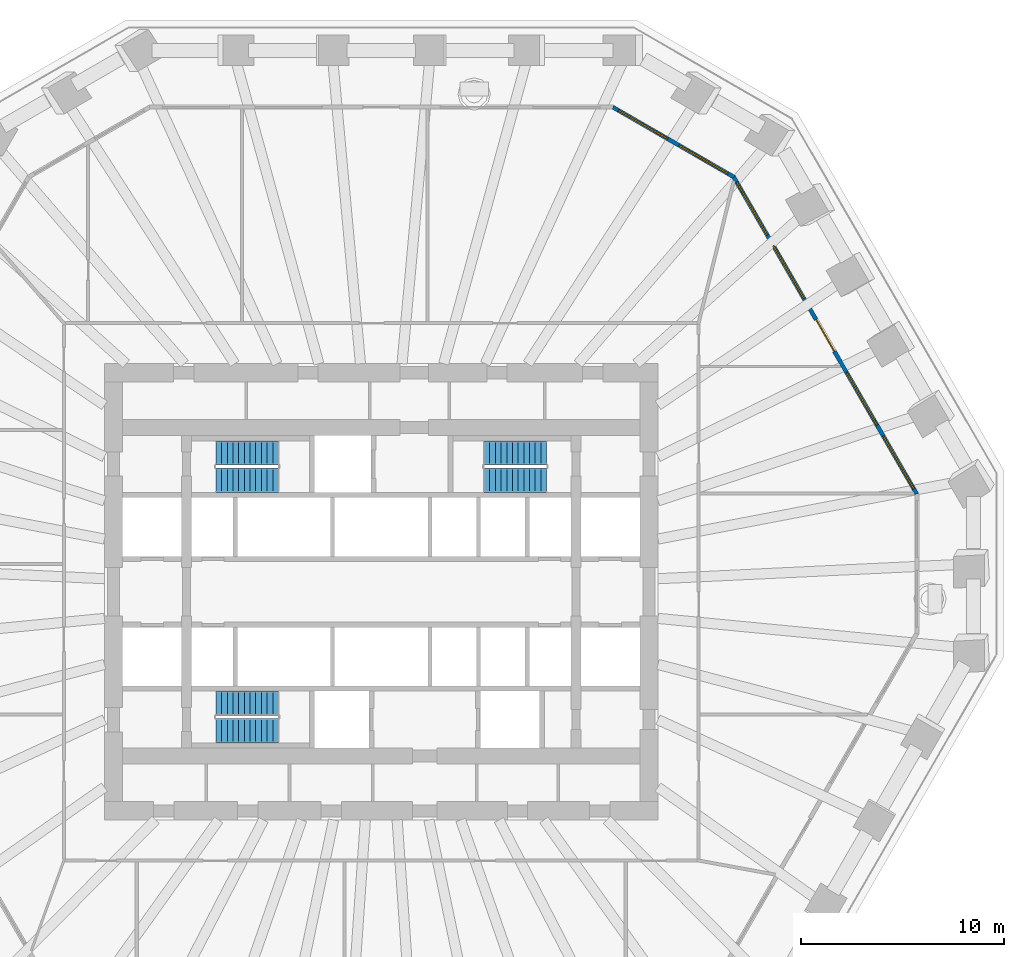
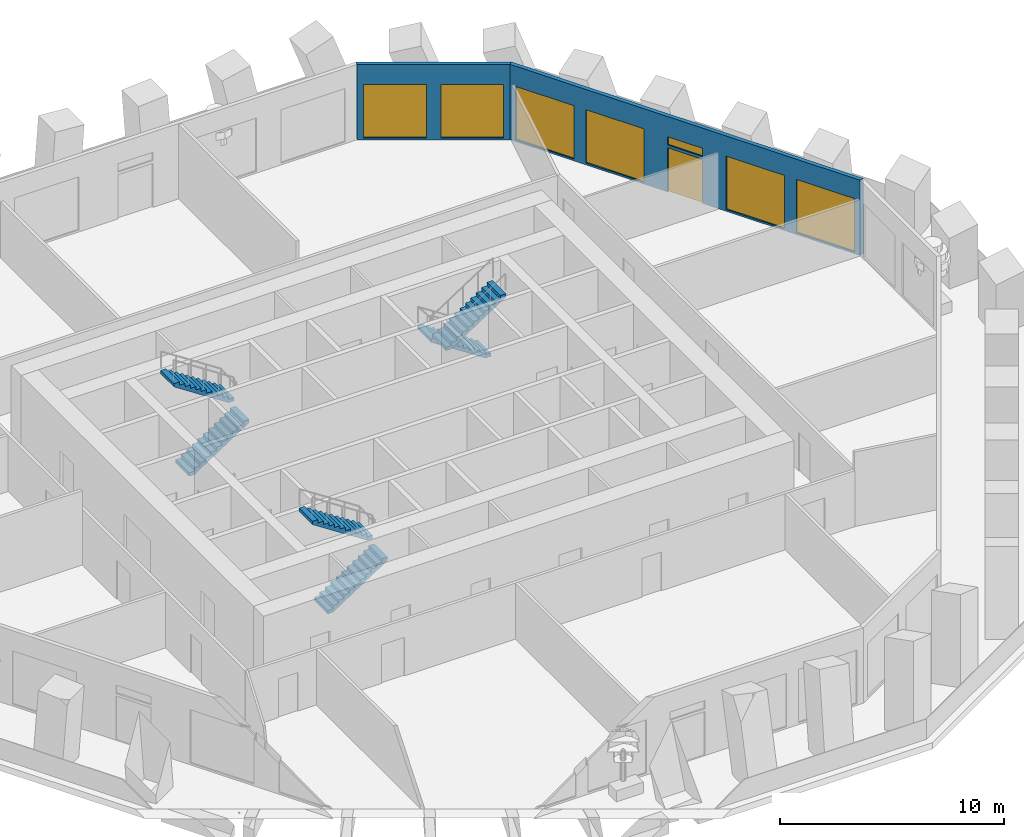
# One storey, part 8 of 11: 7 windows, 6 stair flights, 2 walls, 1 door, 8 openings, 3 elements without a shape of their own.
"""IFC4 building model written with IfcOpenShell, lengths in metres."""

from ifc_helpers import new_model, si_unit, direction, frame, frame_2d, origin, place, context, subcontext, project, spatial, polyline, rectangle, outline, extrude, material, layer, layer_set, type_object, element, fill, aggregate, save


model = new_model("IFC4")

# Units and contexts
model_context = context("Model", 3, precision=1e-05, world=origin(), true_north=direction((0.0, 1.0)))
body_context = subcontext(model_context, "Body", "Model", "MODEL_VIEW")
ifc_project = project(units=[si_unit("LENGTHUNIT", "METRE"), si_unit("AREAUNIT", "SQUARE_METRE"), si_unit("VOLUMEUNIT", "CUBIC_METRE"), si_unit("PLANEANGLEUNIT", "RADIAN"), si_unit("MASSUNIT", "GRAM", prefix="KILO")], contexts=[model_context])

# Site, building, storey
site_placement = place(None, origin())
site = spatial("IfcSite", under=ifc_project, at=site_placement, CompositionType="ELEMENT")
building_placement = place(site_placement, origin())
building = spatial("IfcBuilding", under=site, at=building_placement, Name="Frailejon Research Tower", CompositionType="ELEMENT")
storey_placement = place(building_placement, frame((0.0, 0.0, 67.39990234375)))
storey = spatial("IfcBuildingStorey", under=building, at=storey_placement, Name="L15", CompositionType="ELEMENT", Elevation=67.39990234375)

# Wall, openings, door, windows
ifc_material_1 = material(Name="Concrete C40/50 precast window wall panel", Category="concrete")
ifc_layer_1 = layer(ifc_material_1, 0.199951171875)
ifc_layer_set_1 = layer_set([ifc_layer_1], Name="Window wall 200")
wall_type = type_object("IfcWallType", Name="Window wall 200", PredefinedType="SOLIDWALL", material=ifc_layer_set_1)
wall_1_placement = place(storey_placement, frame((26.4111328125, 4.820068359375, 0.0), z_axis=(0.0, 0.0, 1.0), x_axis=(-0.500000137386, 0.866025324465, 0.0)))
wall_1 = element("IfcWall", 1, at=wall_1_placement, inside=storey, type_object=wall_type, Name="Exterior wall L15", PredefinedType="SOLIDWALL", context=body_context, shape_type="SweptSolid", body=[
    extrude(outline(polyline([(-0.02685546875, -0.10009765625), (0.9794921875, -0.10009765625), (1.986083984375, -0.10009765625), (2.992431640625, -0.10009765625), (3.9990234375, -0.10009765625), (5.00537109375, -0.10009765625), (6.011962890625, -0.10009765625), (7.018310546875, -0.10009765625), (8.02490234375, -0.10009765625), (9.03125, -0.10009765625), (10.03759765625, -0.10009765625), (11.044189453125, -0.10009765625), (12.050537109375, -0.10009765625), (13.05712890625, -0.10009765625), (14.0634765625, -0.10009765625), (15.070068359375, -0.10009765625), (16.076416015625, -0.10009765625), (17.0830078125, -0.10009765625), (18.08935546875, -0.10009765625), (18.03564453125, 0.10009765625), (17.03515625, 0.10009765625), (16.03466796875, 0.10009765625), (15.0341796875, 0.10009765625), (14.03369140625, 0.10009765625), (13.033203125, 0.10009765625), (12.03271484375, 0.10009765625), (11.0322265625, 0.10009765625), (10.03173828125, 0.10009765625), (9.03125, 0.10009765625), (8.03076171875, 0.10009765625), (7.0302734375, 0.10009765625), (6.02978515625, 0.10009765625), (5.029296875, 0.10009765625), (4.02880859375, 0.10009765625), (3.0283203125, 0.10009765625), (2.02783203125, 0.10009765625), (1.02734375, 0.10009765625), (0.02685546875, 0.10009765625), (-0.02685546875, -0.10009765625)])), origin(), (0.0, 0.0, 1.0), 4.10009765625),
])
opening_1_placement = place(wall_1_placement, frame((0.306396484375, 0.0, 0.10009765625)))
opening_1 = element("IfcOpeningElement", 2, at=opening_1_placement, cuts=wall_1, Name="Opening W4", PredefinedType="OPENING", context=body_context, shape_type="SweptSolid", body=[
    extrude(rectangle(XDim=3.0, YDim=2.89990234375, at=frame_2d((1.5, 1.449951171875))), frame((0.0, 0.10986328125, 0.0), z_axis=(0.0, -1.0, 0.0), x_axis=(1.0, 0.0, 0.0)), (0.0, 0.0, 1.0), 0.219970703125),
])
opening_2_placement = place(wall_1_placement, frame((3.918701171875, 0.0, 0.10009765625)))
opening_2 = element("IfcOpeningElement", 3, at=opening_2_placement, cuts=wall_1, Name="Opening W4", PredefinedType="OPENING", context=body_context, shape_type="SweptSolid", body=[
    extrude(rectangle(XDim=3.0, YDim=2.89990234375, at=frame_2d((1.5, 1.449951171875))), frame((0.0, 0.10986328125, 0.0), z_axis=(0.0, -1.0, 0.0), x_axis=(1.0, 0.0, 0.0)), (0.0, 0.0, 1.0), 0.219970703125),
])
opening_3_placement = place(wall_1_placement, frame((8.13134765625, 0.0, 0.0)))
opening_3 = element("IfcOpeningElement", 4, at=opening_3_placement, cuts=wall_1, Name="Opening LG15-1", PredefinedType="OPENING", context=body_context, shape_type="SweptSolid", body=[
    extrude(rectangle(XDim=1.800048828125, YDim=2.39990234375, at=frame_2d((0.89990234375, 1.199951171875))), frame((0.0, 0.10986328125, 0.0), z_axis=(0.0, -1.0, 0.0), x_axis=(1.0, 0.0, 0.0)), (0.0, 0.0, 1.0), 0.219970703125),
])
opening_4_placement = place(wall_1_placement, frame((8.13134765625, 0.0, 2.550048828125)))
opening_4 = element("IfcOpeningElement", 5, at=opening_4_placement, cuts=wall_1, Name="Opening W1", PredefinedType="OPENING", context=body_context, shape_type="SweptSolid", body=[
    extrude(rectangle(XDim=1.800048828125, YDim=0.449951171875, at=frame_2d((0.89990234375, 0.22509765625))), frame((0.0, 0.10986328125, 0.0), z_axis=(0.0, -1.0, 0.0), x_axis=(1.0, 0.0, 0.0)), (0.0, 0.0, 1.0), 0.219970703125),
])
opening_5_placement = place(wall_1_placement, frame((11.143798828125, 0.0, 0.10009765625)))
opening_5 = element("IfcOpeningElement", 6, at=opening_5_placement, cuts=wall_1, Name="Opening W4", PredefinedType="OPENING", context=body_context, shape_type="SweptSolid", body=[
    extrude(rectangle(XDim=3.0, YDim=2.89990234375, at=frame_2d((1.5, 1.449951171875))), frame((0.0, 0.10986328125, 0.0), z_axis=(0.0, -1.0, 0.0), x_axis=(1.0, 0.0, 0.0)), (0.0, 0.0, 1.0), 0.219970703125),
])
opening_6_placement = place(wall_1_placement, frame((14.75634765625, 0.0, 0.10009765625)))
opening_6 = element("IfcOpeningElement", 7, at=opening_6_placement, cuts=wall_1, Name="Opening W4", PredefinedType="OPENING", context=body_context, shape_type="SweptSolid", body=[
    extrude(rectangle(XDim=3.0, YDim=2.89990234375, at=frame_2d((1.5, 1.449951171875))), frame((0.0, 0.10986328125, 0.0), z_axis=(0.0, -1.0, 0.0), x_axis=(1.0, 0.0, 0.0)), (0.0, 0.0, 1.0), 0.219970703125),
])
ifc_material_2 = material(Name="Aluminium framed glazed door leaf", Category="aluminium")
door_type = type_object("IfcDoorType", Name="Loggia door 1800x2400", OperationType="DOUBLE_DOOR_SINGLE_SWING", PredefinedType="DOOR", material=ifc_material_2)
door_placement = place(opening_3_placement, origin())
door = element("IfcDoor", 8, at=door_placement, inside=storey, type_object=door_type, Name="Door LG15-1", OperationType="DOUBLE_DOOR_SINGLE_SWING", OverallHeight=2.39990234375, OverallWidth=1.800048828125, PredefinedType="DOOR", context=body_context, shape_type="SweptSolid", body=[
    extrude(rectangle(XDim=1.800048828125, YDim=2.39990234375, at=frame_2d((0.89990234375, 1.199951171875))), frame((0.0, 0.02490234375, 0.0), z_axis=(0.0, -1.0, 0.0), x_axis=(1.0, 0.0, 0.0)), (0.0, 0.0, 1.0), 0.050048828125),
])
fill(opening_3, door)
ifc_material_3 = material(Name="Aluminium framed double glazing", Category="aluminium")
window_type_1 = type_object("IfcWindowType", Name="Window 1800x450", PartitioningType="SINGLE_PANEL", PredefinedType="WINDOW", material=ifc_material_3)
window_1_placement = place(opening_4_placement, origin())
window_1 = element("IfcWindow", 9, at=window_1_placement, inside=storey, type_object=window_type_1, Name="Window L15", OverallHeight=0.449951171875, OverallWidth=1.800048828125, PartitioningType="SINGLE_PANEL", PredefinedType="WINDOW", context=body_context, shape_type="SweptSolid", body=[
    extrude(rectangle(XDim=1.800048828125, YDim=0.449951171875, at=frame_2d((0.89990234375, 0.22509765625))), frame((0.0, 0.030029296875, 0.0), z_axis=(0.0, -1.0, 0.0), x_axis=(1.0, 0.0, 0.0)), (0.0, 0.0, 1.0), 0.06005859375),
])
fill(opening_4, window_1)
ifc_material_4 = material(Name="Aluminium framed double glazing", Category="aluminium")
window_type_2 = type_object("IfcWindowType", Name="Window 3000x2900", PartitioningType="SINGLE_PANEL", PredefinedType="WINDOW", material=ifc_material_4)
window_2_placement = place(opening_1_placement, origin())
window_2 = element("IfcWindow", 10, at=window_2_placement, inside=storey, type_object=window_type_2, Name="Window L15", OverallHeight=2.89990234375, OverallWidth=3.0, PartitioningType="SINGLE_PANEL", PredefinedType="WINDOW", context=body_context, shape_type="SweptSolid", body=[
    extrude(rectangle(XDim=3.0, YDim=2.89990234375, at=frame_2d((1.5, 1.449951171875))), frame((0.0, 0.030029296875, 0.0), z_axis=(0.0, -1.0, 0.0), x_axis=(1.0, 0.0, 0.0)), (0.0, 0.0, 1.0), 0.06005859375),
])
fill(opening_1, window_2)
window_3_placement = place(opening_2_placement, origin())
window_3 = element("IfcWindow", 11, at=window_3_placement, inside=storey, type_object=window_type_2, Name="Window L15", OverallHeight=2.89990234375, OverallWidth=3.0, PartitioningType="SINGLE_PANEL", PredefinedType="WINDOW", context=body_context, shape_type="SweptSolid", body=[
    extrude(rectangle(XDim=3.0, YDim=2.89990234375, at=frame_2d((1.5, 1.449951171875))), frame((0.0, 0.030029296875, 0.0), z_axis=(0.0, -1.0, 0.0), x_axis=(1.0, 0.0, 0.0)), (0.0, 0.0, 1.0), 0.06005859375),
])
fill(opening_2, window_3)
window_4_placement = place(opening_5_placement, origin())
window_4 = element("IfcWindow", 12, at=window_4_placement, inside=storey, type_object=window_type_2, Name="Window L15", OverallHeight=2.89990234375, OverallWidth=3.0, PartitioningType="SINGLE_PANEL", PredefinedType="WINDOW", context=body_context, shape_type="SweptSolid", body=[
    extrude(rectangle(XDim=3.0, YDim=2.89990234375, at=frame_2d((1.5, 1.449951171875))), frame((0.0, 0.030029296875, 0.0), z_axis=(0.0, -1.0, 0.0), x_axis=(1.0, 0.0, 0.0)), (0.0, 0.0, 1.0), 0.06005859375),
])
fill(opening_5, window_4)
window_5_placement = place(opening_6_placement, origin())
window_5 = element("IfcWindow", 13, at=window_5_placement, inside=storey, type_object=window_type_2, Name="Window L15", OverallHeight=2.89990234375, OverallWidth=3.0, PartitioningType="SINGLE_PANEL", PredefinedType="WINDOW", context=body_context, shape_type="SweptSolid", body=[
    extrude(rectangle(XDim=3.0, YDim=2.89990234375, at=frame_2d((1.5, 1.449951171875))), frame((0.0, 0.030029296875, 0.0), z_axis=(0.0, -1.0, 0.0), x_axis=(1.0, 0.0, 0.0)), (0.0, 0.0, 1.0), 0.06005859375),
])
fill(opening_6, window_5)

# Wall, openings, windows
wall_2_placement = place(storey_placement, frame((17.3798828125, 20.462646484375, 0.0), z_axis=(0.0, 0.0, 1.0), x_axis=(-0.866029458321, 0.49999297727, 0.0)))
wall_2 = element("IfcWall", 14, at=wall_2_placement, inside=storey, type_object=wall_type, Name="Exterior wall L15", PredefinedType="SOLIDWALL", context=body_context, shape_type="SweptSolid", body=[
    extrude(outline(polyline([(-0.02685546875, -0.10009765625), (1.1279296875, -0.10009765625), (2.282470703125, -0.10009765625), (3.437255859375, -0.10009765625), (4.592041015625, -0.10009765625), (5.74658203125, -0.10009765625), (6.9013671875, -0.10009765625), (6.84765625, 0.10009765625), (5.7109375, 0.10009765625), (4.573974609375, 0.10009765625), (3.437255859375, 0.10009765625), (2.300537109375, 0.10009765625), (1.16357421875, 0.10009765625), (0.02685546875, 0.10009765625), (-0.02685546875, -0.10009765625)])), origin(), (0.0, 0.0, 1.0), 4.10009765625),
])
opening_7_placement = place(wall_2_placement, frame((0.318603515625, 0.0, 0.10009765625)))
opening_7 = element("IfcOpeningElement", 15, at=opening_7_placement, cuts=wall_2, Name="Opening W3", PredefinedType="OPENING", context=body_context, shape_type="SweptSolid", body=[
    extrude(rectangle(XDim=2.800048828125, YDim=2.89990234375, at=frame_2d((1.39990234375, 1.449951171875))), frame((0.0, 0.10986328125, 0.0), z_axis=(0.0, -1.0, 0.0), x_axis=(1.0, 0.0, 0.0)), (0.0, 0.0, 1.0), 0.219970703125),
])
opening_8_placement = place(wall_2_placement, frame((3.756103515625, 0.0, 0.10009765625)))
opening_8 = element("IfcOpeningElement", 16, at=opening_8_placement, cuts=wall_2, Name="Opening W3", PredefinedType="OPENING", context=body_context, shape_type="SweptSolid", body=[
    extrude(rectangle(XDim=2.800048828125, YDim=2.89990234375, at=frame_2d((1.39990234375, 1.449951171875))), frame((0.0, 0.10986328125, 0.0), z_axis=(0.0, -1.0, 0.0), x_axis=(1.0, 0.0, 0.0)), (0.0, 0.0, 1.0), 0.219970703125),
])
ifc_material_5 = material(Name="Aluminium framed double glazing", Category="aluminium")
window_type_3 = type_object("IfcWindowType", Name="Window 2800x2900", PartitioningType="SINGLE_PANEL", PredefinedType="WINDOW", material=ifc_material_5)
window_6_placement = place(opening_7_placement, origin())
window_6 = element("IfcWindow", 17, at=window_6_placement, inside=storey, type_object=window_type_3, Name="Window L15", OverallHeight=2.89990234375, OverallWidth=2.800048828125, PartitioningType="SINGLE_PANEL", PredefinedType="WINDOW", context=body_context, shape_type="SweptSolid", body=[
    extrude(rectangle(XDim=2.800048828125, YDim=2.89990234375, at=frame_2d((1.39990234375, 1.449951171875))), frame((0.0, 0.030029296875, 0.0), z_axis=(0.0, -1.0, 0.0), x_axis=(1.0, 0.0, 0.0)), (0.0, 0.0, 1.0), 0.06005859375),
])
fill(opening_7, window_6)
window_7_placement = place(opening_8_placement, origin())
window_7 = element("IfcWindow", 18, at=window_7_placement, inside=storey, type_object=window_type_3, Name="Window L15", OverallHeight=2.89990234375, OverallWidth=2.800048828125, PartitioningType="SINGLE_PANEL", PredefinedType="WINDOW", context=body_context, shape_type="SweptSolid", body=[
    extrude(rectangle(XDim=2.800048828125, YDim=2.89990234375, at=frame_2d((1.39990234375, 1.449951171875))), frame((0.0, 0.030029296875, 0.0), z_axis=(0.0, -1.0, 0.0), x_axis=(1.0, 0.0, 0.0)), (0.0, 0.0, 1.0), 0.06005859375),
])
fill(opening_8, window_7)

# Stair, stair flights
ifc_material_6 = material(Name="Concrete C50/60", Category="concrete")
stair_type = type_object("IfcStairType", Name="Exit stair 24 risers", PredefinedType="HALF_TURN_STAIR", material=ifc_material_6)
stair_1_placement = place(storey_placement, origin())
stair_1 = element("IfcStair", 19, at=stair_1_placement, inside=storey, type_object=stair_type, Name="L15 Exit stair ST1", PredefinedType="HALF_TURN_STAIR")
ifc_material_7 = material(Name="Concrete C50/60", Category="concrete")
ifc_layer_2 = layer(ifc_material_7, 0.14990234375)
ifc_layer_set_2 = layer_set([ifc_layer_2], Name="Stair flight 12 risers")
stair_flight_type = type_object("IfcStairFlightType", Name="Stair flight 12 risers", PredefinedType="STRAIGHT", material=ifc_layer_set_2)
stair_flight_1_placement = place(storey_placement, frame((-8.14990234375, 5.5, 0.0), z_axis=(0.0, 0.0, 1.0), x_axis=(1.0, 0.0, 0.0)))
stair_flight_1 = element("IfcStairFlight", 20, at=stair_flight_1_placement, type_object=stair_flight_type, Name="ST1 flight 1", NumberOfRisers=12, NumberOfTreads=11, PredefinedType="STRAIGHT", RiserHeight=0.183333333, TreadLength=0.28, context=body_context, shape_type="SweptSolid", body=[
    extrude(outline(polyline([(0.0, 0.0), (0.0, 0.183349609375), (0.280029296875, 0.183349609375), (0.280029296875, 0.36669921875), (0.56005859375, 0.36669921875), (0.56005859375, 0.550048828125), (0.840087890625, 0.550048828125), (0.840087890625, 0.7333984375), (1.1201171875, 0.7333984375), (1.1201171875, 0.916748046875), (1.39990234375, 0.916748046875), (1.39990234375, 1.10009765625), (1.679931640625, 1.10009765625), (1.679931640625, 1.283447265625), (1.9599609375, 1.283447265625), (1.9599609375, 1.466552734375), (2.239990234375, 1.466552734375), (2.239990234375, 1.64990234375), (2.52001953125, 1.64990234375), (2.52001953125, 1.833251953125), (2.800048828125, 1.833251953125), (2.800048828125, 2.0166015625), (3.080078125, 2.0166015625), (3.080078125, 2.199951171875), (3.080078125, 1.83740234375), (0.273681640625, 0.0), (0.0, 0.0)])), frame((0.0, 0.60009765625, 0.0), z_axis=(0.0, -1.0, 0.0), x_axis=(1.0, 0.0, 0.0)), (0.0, 0.0, 1.0), 1.199951171875),
])
stair_flight_2_placement = place(storey_placement, frame((-5.070068359375, 6.85009765625, 2.2001953125), z_axis=(0.0, 0.0, 1.0), x_axis=(-1.0, 0.0, 0.0)))
stair_flight_2 = element("IfcStairFlight", 21, at=stair_flight_2_placement, type_object=stair_flight_type, Name="ST1 flight 2", NumberOfRisers=12, NumberOfTreads=11, PredefinedType="STRAIGHT", RiserHeight=0.183333333, TreadLength=0.28, context=body_context, shape_type="SweptSolid", body=[
    extrude(outline(polyline([(0.0, 0.0), (0.0, 0.183349609375), (0.280029296875, 0.183349609375), (0.280029296875, 0.36669921875), (0.56005859375, 0.36669921875), (0.56005859375, 0.550048828125), (0.840087890625, 0.550048828125), (0.840087890625, 0.7333984375), (1.1201171875, 0.7333984375), (1.1201171875, 0.916748046875), (1.39990234375, 0.916748046875), (1.39990234375, 1.10009765625), (1.679931640625, 1.10009765625), (1.679931640625, 1.283447265625), (1.9599609375, 1.283447265625), (1.9599609375, 1.466552734375), (2.239990234375, 1.466552734375), (2.239990234375, 1.64990234375), (2.52001953125, 1.64990234375), (2.52001953125, 1.833251953125), (2.800048828125, 1.833251953125), (2.800048828125, 2.0166015625), (3.080078125, 2.0166015625), (3.080078125, 2.199951171875), (3.080078125, 1.83740234375), (0.273681640625, 0.0), (0.0, 0.0)])), frame((0.0, 0.60009765625, 0.0), z_axis=(0.0, -1.0, 0.0), x_axis=(1.0, 0.0, 0.0)), (0.0, 0.0, 1.0), 1.199951171875),
])
aggregate(stair_1, [stair_flight_1, stair_flight_2])

stair_2_placement = place(storey_placement, origin())
stair_2 = element("IfcStair", 22, at=stair_2_placement, inside=storey, type_object=stair_type, Name="L15 Exit stair ST2", PredefinedType="HALF_TURN_STAIR")
stair_flight_3_placement = place(storey_placement, frame((-8.14990234375, -6.85009765625, 0.0), z_axis=(0.0, 0.0, 1.0), x_axis=(1.0, 0.0, 0.0)))
stair_flight_3 = element("IfcStairFlight", 23, at=stair_flight_3_placement, type_object=stair_flight_type, Name="ST2 flight 1", NumberOfRisers=12, NumberOfTreads=11, PredefinedType="STRAIGHT", RiserHeight=0.183333333, TreadLength=0.28, context=body_context, shape_type="SweptSolid", body=[
    extrude(outline(polyline([(0.0, 0.0), (0.0, 0.183349609375), (0.280029296875, 0.183349609375), (0.280029296875, 0.36669921875), (0.56005859375, 0.36669921875), (0.56005859375, 0.550048828125), (0.840087890625, 0.550048828125), (0.840087890625, 0.7333984375), (1.1201171875, 0.7333984375), (1.1201171875, 0.916748046875), (1.39990234375, 0.916748046875), (1.39990234375, 1.10009765625), (1.679931640625, 1.10009765625), (1.679931640625, 1.283447265625), (1.9599609375, 1.283447265625), (1.9599609375, 1.466552734375), (2.239990234375, 1.466552734375), (2.239990234375, 1.64990234375), (2.52001953125, 1.64990234375), (2.52001953125, 1.833251953125), (2.800048828125, 1.833251953125), (2.800048828125, 2.0166015625), (3.080078125, 2.0166015625), (3.080078125, 2.199951171875), (3.080078125, 1.83740234375), (0.273681640625, 0.0), (0.0, 0.0)])), frame((0.0, 0.60009765625, 0.0), z_axis=(0.0, -1.0, 0.0), x_axis=(1.0, 0.0, 0.0)), (0.0, 0.0, 1.0), 1.199951171875),
])
stair_flight_4_placement = place(storey_placement, frame((-5.070068359375, -5.5, 2.2001953125), z_axis=(0.0, 0.0, 1.0), x_axis=(-1.0, 0.0, 0.0)))
stair_flight_4 = element("IfcStairFlight", 24, at=stair_flight_4_placement, type_object=stair_flight_type, Name="ST2 flight 2", NumberOfRisers=12, NumberOfTreads=11, PredefinedType="STRAIGHT", RiserHeight=0.183333333, TreadLength=0.28, context=body_context, shape_type="SweptSolid", body=[
    extrude(outline(polyline([(0.0, 0.0), (0.0, 0.183349609375), (0.280029296875, 0.183349609375), (0.280029296875, 0.36669921875), (0.56005859375, 0.36669921875), (0.56005859375, 0.550048828125), (0.840087890625, 0.550048828125), (0.840087890625, 0.7333984375), (1.1201171875, 0.7333984375), (1.1201171875, 0.916748046875), (1.39990234375, 0.916748046875), (1.39990234375, 1.10009765625), (1.679931640625, 1.10009765625), (1.679931640625, 1.283447265625), (1.9599609375, 1.283447265625), (1.9599609375, 1.466552734375), (2.239990234375, 1.466552734375), (2.239990234375, 1.64990234375), (2.52001953125, 1.64990234375), (2.52001953125, 1.833251953125), (2.800048828125, 1.833251953125), (2.800048828125, 2.0166015625), (3.080078125, 2.0166015625), (3.080078125, 2.199951171875), (3.080078125, 1.83740234375), (0.273681640625, 0.0), (0.0, 0.0)])), frame((0.0, 0.60009765625, 0.0), z_axis=(0.0, -1.0, 0.0), x_axis=(1.0, 0.0, 0.0)), (0.0, 0.0, 1.0), 1.199951171875),
])
aggregate(stair_2, [stair_flight_3, stair_flight_4])

stair_3_placement = place(storey_placement, origin())
stair_3 = element("IfcStair", 25, at=stair_3_placement, inside=storey, type_object=stair_type, Name="L15 Exit stair ST3", PredefinedType="HALF_TURN_STAIR")
stair_flight_5_placement = place(storey_placement, frame((8.14990234375, 6.85009765625, 0.0), z_axis=(0.0, 0.0, 1.0), x_axis=(-1.0, 0.0, 0.0)))
stair_flight_5 = element("IfcStairFlight", 26, at=stair_flight_5_placement, type_object=stair_flight_type, Name="ST3 flight 1", NumberOfRisers=12, NumberOfTreads=11, PredefinedType="STRAIGHT", RiserHeight=0.183333333, TreadLength=0.28, context=body_context, shape_type="SweptSolid", body=[
    extrude(outline(polyline([(0.0, 0.0), (0.0, 0.183349609375), (0.280029296875, 0.183349609375), (0.280029296875, 0.36669921875), (0.56005859375, 0.36669921875), (0.56005859375, 0.550048828125), (0.840087890625, 0.550048828125), (0.840087890625, 0.7333984375), (1.1201171875, 0.7333984375), (1.1201171875, 0.916748046875), (1.39990234375, 0.916748046875), (1.39990234375, 1.10009765625), (1.679931640625, 1.10009765625), (1.679931640625, 1.283447265625), (1.9599609375, 1.283447265625), (1.9599609375, 1.466552734375), (2.239990234375, 1.466552734375), (2.239990234375, 1.64990234375), (2.52001953125, 1.64990234375), (2.52001953125, 1.833251953125), (2.800048828125, 1.833251953125), (2.800048828125, 2.0166015625), (3.080078125, 2.0166015625), (3.080078125, 2.199951171875), (3.080078125, 1.83740234375), (0.273681640625, 0.0), (0.0, 0.0)])), frame((0.0, 0.60009765625, 0.0), z_axis=(0.0, -1.0, 0.0), x_axis=(1.0, 0.0, 0.0)), (0.0, 0.0, 1.0), 1.199951171875),
])
stair_flight_6_placement = place(storey_placement, frame((5.070068359375, 5.5, 2.2001953125), z_axis=(0.0, 0.0, 1.0), x_axis=(1.0, 0.0, 0.0)))
stair_flight_6 = element("IfcStairFlight", 27, at=stair_flight_6_placement, type_object=stair_flight_type, Name="ST3 flight 2", NumberOfRisers=12, NumberOfTreads=11, PredefinedType="STRAIGHT", RiserHeight=0.183333333, TreadLength=0.28, context=body_context, shape_type="SweptSolid", body=[
    extrude(outline(polyline([(0.0, 0.0), (0.0, 0.183349609375), (0.280029296875, 0.183349609375), (0.280029296875, 0.36669921875), (0.56005859375, 0.36669921875), (0.56005859375, 0.550048828125), (0.840087890625, 0.550048828125), (0.840087890625, 0.7333984375), (1.1201171875, 0.7333984375), (1.1201171875, 0.916748046875), (1.39990234375, 0.916748046875), (1.39990234375, 1.10009765625), (1.679931640625, 1.10009765625), (1.679931640625, 1.283447265625), (1.9599609375, 1.283447265625), (1.9599609375, 1.466552734375), (2.239990234375, 1.466552734375), (2.239990234375, 1.64990234375), (2.52001953125, 1.64990234375), (2.52001953125, 1.833251953125), (2.800048828125, 1.833251953125), (2.800048828125, 2.0166015625), (3.080078125, 2.0166015625), (3.080078125, 2.199951171875), (3.080078125, 1.83740234375), (0.273681640625, 0.0), (0.0, 0.0)])), frame((0.0, 0.60009765625, 0.0), z_axis=(0.0, -1.0, 0.0), x_axis=(1.0, 0.0, 0.0)), (0.0, 0.0, 1.0), 1.199951171875),
])
aggregate(stair_3, [stair_flight_5, stair_flight_6])

save(model, "model.ifc")
